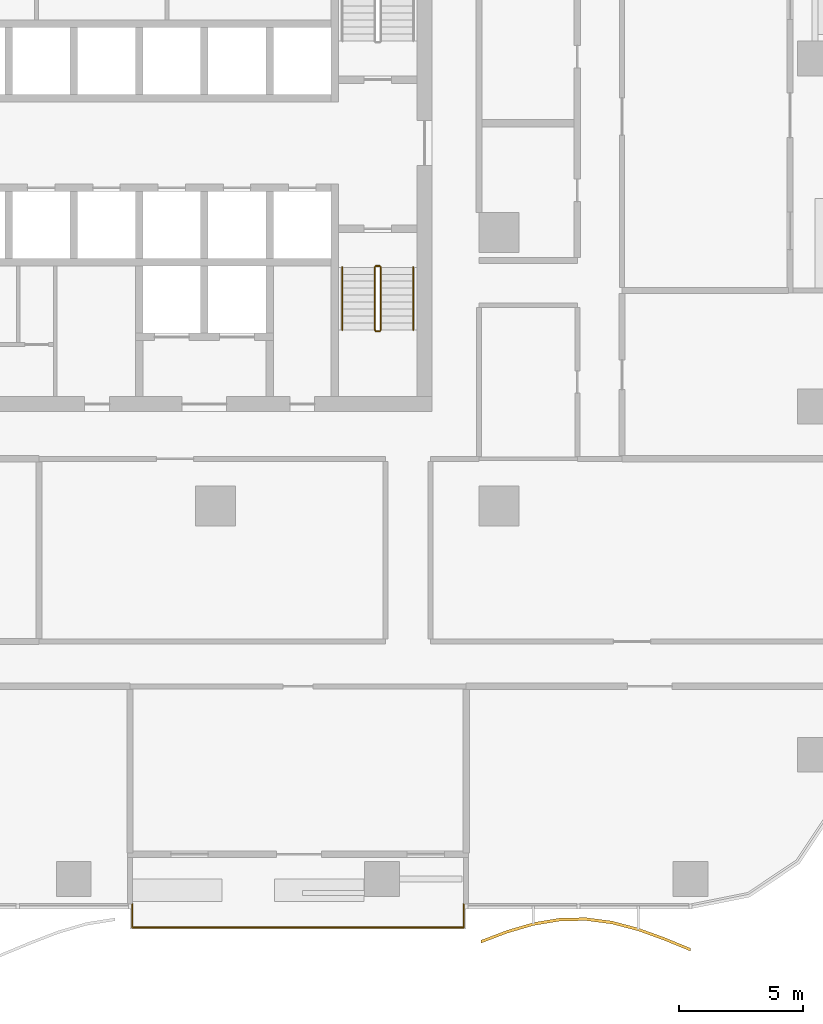
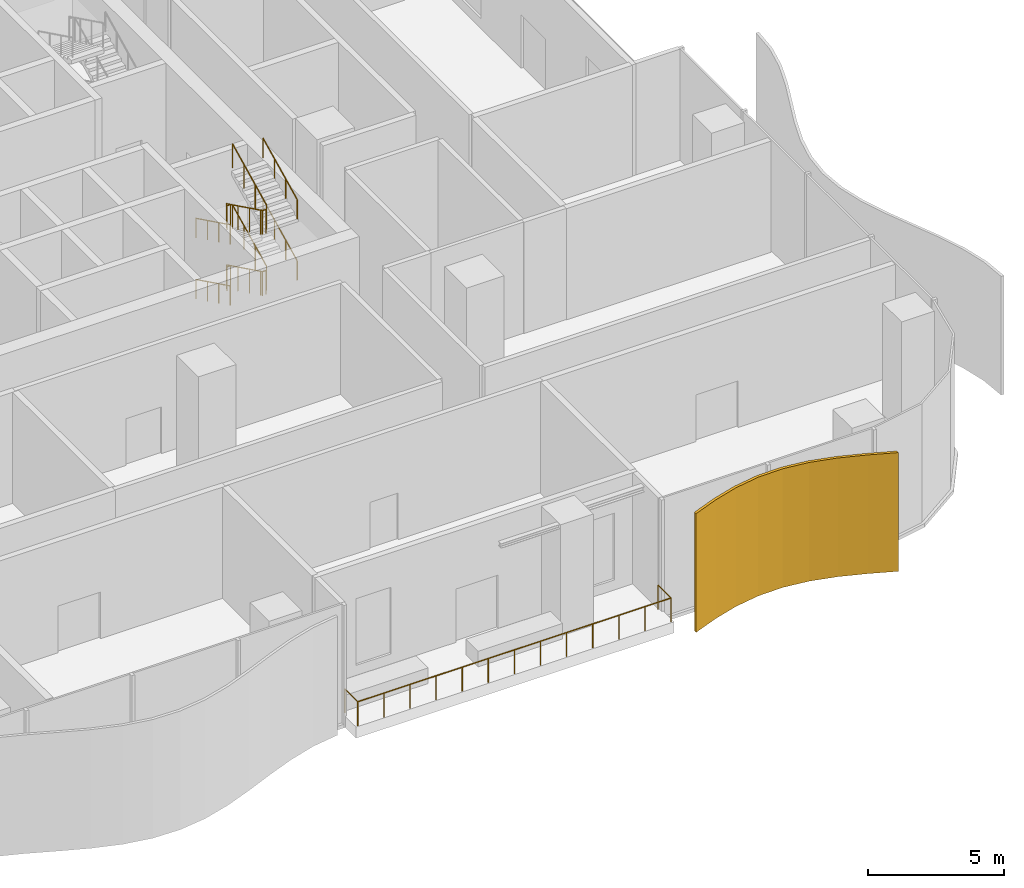
# One storey, part 16 of 20: 10 railings, 1 shading device.
"""IFC4 building model written with IfcOpenShell, lengths in metres."""

import ifcopenshell
import ifcopenshell.guid

model = None  # the IFC model being written
_history = None  # IfcOwnerHistory: only IFC2X3 demands one
_inside = {}  # id of a spatial element -> (the spatial element, [elements in it])
_under = {}  # id of a project, library or spatial element -> (it, [spatial elements below it])
_declared = {}  # id of a project -> (the project, [libraries it declares])
_typed = {}  # id of a type object -> (the type object, [elements of that type])
_made_of = {}  # id of a material, layer set ... -> (it, [elements and type objects made of it])


def new_model(schema):
    """Start an empty IFC model of exactly this schema.

    Asked for "IFC4X3", IfcOpenShell would pick the latest addendum, in which some entities
    have other attributes; the version numbers below select the first issue.
    IFC2X3 requires an IfcOwnerHistory on every rooted entity: one is made here for all.
    """
    global model, _history
    if schema == "IFC4X3":
        model = ifcopenshell.file(schema_version=(4, 3, 0, 0))
    else:
        model = ifcopenshell.file(schema=schema)
    _inside.clear()
    _under.clear()
    _declared.clear()
    _typed.clear()
    _made_of.clear()
    _history = None
    if model.schema == "IFC2X3":
        org = make("IfcOrganization", Name="unknown")
        user = make(
            "IfcPersonAndOrganization",
            ThePerson=make("IfcPerson", FamilyName="unknown"),
            TheOrganization=org,
        )
        app = make(
            "IfcApplication",
            ApplicationDeveloper=org,
            Version="unknown",
            ApplicationFullName="unknown",
            ApplicationIdentifier="unknown",
        )
        _history = make(
            "IfcOwnerHistory",
            OwningUser=user,
            OwningApplication=app,
            ChangeAction="ADDED",
            CreationDate=0,
        )
    return model


def make(cls, **values):
    """One entity of the class cls with the attributes given. An attribute that is None is left unset."""
    return model.create_entity(
        cls, **{name: value for name, value in values.items() if value is not None}
    )


def rooted(cls, **values):
    """An entity with a GlobalId (a new one), such as an element, a storey or a relation."""
    return make(cls, GlobalId=ifcopenshell.guid.new(), OwnerHistory=_history, **values)


def si_unit(unit_type, name, prefix=None):
    """IfcSIUnit, for example si_unit("LENGTHUNIT", "METRE", prefix="MILLI")."""
    return make("IfcSIUnit", UnitType=unit_type, Prefix=prefix, Name=name)


def assignment(units):
    """IfcUnitAssignment: the units of a project."""
    return None if units is None else make("IfcUnitAssignment", Units=units)


def point(xyz):
    """IfcCartesianPoint."""
    return None if xyz is None else make("IfcCartesianPoint", Coordinates=xyz)


def direction(xyz):
    """IfcDirection."""
    return None if xyz is None else make("IfcDirection", DirectionRatios=xyz)


def frame(location, z_axis=None, x_axis=None):
    """IfcAxis2Placement3D, a coordinate frame: its origin and axes. An axis left out is left unset."""
    return make(
        "IfcAxis2Placement3D",
        Location=point(location),
        Axis=direction(z_axis),
        RefDirection=direction(x_axis),
    )


def frame_2d(location, x_axis=None):
    """IfcAxis2Placement2D, a coordinate frame in the plane: its origin and x axis."""
    return make(
        "IfcAxis2Placement2D", Location=point(location), RefDirection=direction(x_axis)
    )


def origin():
    """The frame at (0, 0, 0) with its axes left unset."""
    return frame((0.0, 0.0, 0.0))


def origin_2d():
    """The frame at (0, 0) in the plane with its x axis left unset."""
    return frame_2d((0.0, 0.0))


def place(relative_to, where):
    """IfcLocalPlacement: puts the frame where relative to a parent placement (None: the world)."""
    return make(
        "IfcLocalPlacement", PlacementRelTo=relative_to, RelativePlacement=where
    )


def context(
    kind, dimensions, precision=None, world=None, true_north=None, identifier=None
):
    """IfcGeometricRepresentationContext, for example the 3D "Model" context."""
    return make(
        "IfcGeometricRepresentationContext",
        ContextIdentifier=identifier,
        ContextType=kind,
        CoordinateSpaceDimension=dimensions,
        Precision=precision,
        WorldCoordinateSystem=world,
        TrueNorth=true_north,
    )


def subcontext(parent, identifier, kind, view, scale=None):
    """IfcGeometricRepresentationSubContext, for example "Body" below "Model"."""
    return make(
        "IfcGeometricRepresentationSubContext",
        ContextIdentifier=identifier,
        ContextType=kind,
        ParentContext=parent,
        TargetScale=scale,
        TargetView=view,
    )


def project(units=None, contexts=None):
    """IfcProject with its units and contexts."""
    return rooted(
        "IfcProject",
        Name="project",
        RepresentationContexts=contexts,
        UnitsInContext=assignment(units),
    )


def spatial(cls, under=None, at=None, **own):
    """A site, building, storey or space (cls), placed at a placement, below another one or the project."""
    s = rooted(cls, ObjectPlacement=at, **own)
    if under is not None:
        _under.setdefault(under.id(), (under, []))[1].append(s)
    return s


def polyline(points):
    """IfcPolyline through the points."""
    return make("IfcPolyline", Points=[point(p) for p in points])


def profile(cls, at=None, kind="AREA", **sizes):
    """A parametric profile (cls). Its sizes go by their IFC names, for example OverallWidth=200.0."""
    return make(cls, ProfileType=kind, Position=at, **sizes)


def circle(**sizes):
    """IfcCircleProfileDef."""
    return profile("IfcCircleProfileDef", **sizes)


def outline(outer, holes=None, kind="AREA"):
    """IfcArbitraryClosedProfileDef: a profile drawn as a closed curve; with holes, ...WithVoids."""
    if holes is None:
        return make("IfcArbitraryClosedProfileDef", ProfileType=kind, OuterCurve=outer)
    return make(
        "IfcArbitraryProfileDefWithVoids",
        ProfileType=kind,
        OuterCurve=outer,
        InnerCurves=holes,
    )


def extrude(swept, where, along, depth):
    """IfcExtrudedAreaSolid: the profile swept, set in the frame where, extruded along a direction by depth."""
    return make(
        "IfcExtrudedAreaSolid",
        SweptArea=swept,
        Position=where,
        ExtrudedDirection=direction(along),
        Depth=depth,
    )


def shape(context_of_items, identifier, shape_type, items):
    """IfcShapeRepresentation: the items that make up one representation, for example the "Body"."""
    return make(
        "IfcShapeRepresentation",
        ContextOfItems=context_of_items,
        RepresentationIdentifier=identifier,
        RepresentationType=shape_type,
        Items=items,
    )


def material(Name=None, Category=None):
    """IfcMaterial."""
    return make("IfcMaterial", Name=Name, Category=Category)


def layer(
    of_material, thickness, ventilated=None, Name=None, Category=None, Priority=None
):
    """IfcMaterialLayer: one layer of a wall or slab, of a material (None: an air gap)."""
    return make(
        "IfcMaterialLayer",
        Material=of_material,
        LayerThickness=thickness,
        IsVentilated=ventilated,
        Name=Name,
        Category=Category,
        Priority=Priority,
    )


def layer_set(layers, Name=None):
    """IfcMaterialLayerSet."""
    return make("IfcMaterialLayerSet", MaterialLayers=layers, LayerSetName=Name)


def made_of(thing, what):
    """Note that an element or type object is made of a material, layer set ...; save() writes the relation."""
    if what is not None:
        _made_of.setdefault(what.id(), (what, []))[1].append(thing)
    return thing


def type_object(cls, material=None, **own):
    """A type object (cls), such as IfcWallType, which elements share."""
    return made_of(rooted(cls, **own), material)


def element(
    cls,
    number,
    at=None,
    inside=None,
    cuts=None,
    type_object=None,
    material=None,
    context=None,
    identifier="Body",
    shape_type=None,
    held_by="IfcProductDefinitionShape",
    body=None,
    shapes=None,
    **own,
):
    """One element of the class cls, such as IfcWall. Its Tag is "e" and its number.

    at: its placement. inside: the storey or other place that contains it. cuts: it is an
    opening in that element (IfcRelVoidsElement). A single representation is given by context,
    identifier, shape_type and body (its items); several are given by shapes. held_by: the class
    of the entity that holds the representations. save() writes the other relations.
    """
    e = rooted(cls, Tag="e%d" % number, ObjectPlacement=at, **own)
    if body is not None:
        shapes = [shape(context, identifier, shape_type, body)]
    if shapes is not None:
        e.Representation = make(held_by, Representations=shapes)
    if inside is not None:
        _inside.setdefault(inside.id(), (inside, []))[1].append(e)
    if cuts is not None:
        rooted(
            "IfcRelVoidsElement", RelatingBuildingElement=cuts, RelatedOpeningElement=e
        )
    if type_object is not None:
        _typed.setdefault(type_object.id(), (type_object, []))[1].append(e)
    return made_of(e, material)


def aggregate(whole, parts):
    """IfcRelAggregates: a whole, such as a stair, and the parts it consists of."""
    return rooted("IfcRelAggregates", RelatingObject=whole, RelatedObjects=parts)


def save(model, path):
    """Write the relations noted so far, then the file.

    IfcRelAggregates (storeys below a building ...), IfcRelContainedInSpatialStructure (elements
    in a storey), IfcRelDefinesByType, IfcRelAssociatesMaterial and IfcRelDeclares: one each for
    every whole, place, type object, material and project.
    """
    for whole, parts in _under.values():
        aggregate(whole, parts)
    for where, things in _inside.values():
        rooted(
            "IfcRelContainedInSpatialStructure",
            RelatedElements=things,
            RelatingStructure=where,
        )
    for kind, things in _typed.values():
        rooted("IfcRelDefinesByType", RelatedObjects=things, RelatingType=kind)
    for what, things in _made_of.values():
        rooted("IfcRelAssociatesMaterial", RelatedObjects=things, RelatingMaterial=what)
    for by, libraries in _declared.values():
        rooted("IfcRelDeclares", RelatingContext=by, RelatedDefinitions=libraries)
    model.write(path)


model = new_model("IFC4")

# Units and contexts
model_context = context("Model", 3, precision=1e-05, world=origin(), true_north=direction((0.0, 1.0)))
body_context = subcontext(model_context, "Body", "Model", "MODEL_VIEW")
ifc_project = project(units=[si_unit("LENGTHUNIT", "METRE"), si_unit("AREAUNIT", "SQUARE_METRE"), si_unit("VOLUMEUNIT", "CUBIC_METRE"), si_unit("PLANEANGLEUNIT", "RADIAN"), si_unit("MASSUNIT", "GRAM", prefix="KILO")], contexts=[model_context])

# Site, building, storey
site_placement = place(None, origin())
site = spatial("IfcSite", under=ifc_project, at=site_placement, CompositionType="ELEMENT")
building_placement = place(site_placement, origin())
building = spatial("IfcBuilding", under=site, at=building_placement, Name="Mopane Tessera Tower", CompositionType="ELEMENT")
storey_placement = place(building_placement, frame((0.0, 0.0, 14.5)))
storey = spatial("IfcBuildingStorey", under=building, at=storey_placement, Name="L02", CompositionType="ELEMENT", Elevation=14.5)

# Railings
ifc_material_1 = material(Name="Powder-coated steel balustrade", Category="steel")
railing_type_1 = type_object("IfcRailingType", Name="Escape stair guard 1100 mm", PredefinedType="GUARDRAIL", material=ifc_material_1)
railing_1_placement = place(storey_placement, frame((12.10009765625, -1.39990234375, 0.137451171875)))
element("IfcRailing", 1, at=railing_1_placement, inside=storey, type_object=railing_type_1, Name="L02 ST3 stair guard 1", PredefinedType="GUARDRAIL", context=body_context, shape_type="SweptSolid", body=[
    extrude(circle(Radius=0.02392578125, at=origin_2d()), frame((0.0, 0.0, 1.076171875), z_axis=(0.0, -0.897604431175, 0.440801866075), x_axis=(1.0, 0.0, 0.0)), (0.0, 0.0, 1.0), 2.807373046875),
    extrude(circle(Radius=0.02392578125, at=origin_2d()), frame((0.0, -2.52001953125, 2.3134765625), z_axis=(0.705375805398, -0.708833529934, 0.0), x_axis=(0.708833529934, 0.705375805398, 0.0)), (0.0, 0.0, 1.0), 0.070556640625),
    extrude(circle(Radius=0.02392578125, at=origin_2d()), frame((0.0498046875, -2.570068359375, 2.3134765625), z_axis=(1.0, 0.0, 0.0), x_axis=(0.0, 1.0, 0.0)), (0.0, 0.0, 1.0), 0.150146484375),
    extrude(circle(Radius=0.02099609375, at=origin_2d()), origin(), (0.0, 0.0, 1.0), 1.052001953125),
    extrude(circle(Radius=0.02099609375, at=origin_2d()), frame((0.0, -0.840087890625, 0.41259765625)), (0.0, 0.0, 1.0), 1.052001953125),
    extrude(circle(Radius=0.02099609375, at=origin_2d()), frame((0.0, -1.679931640625, 0.824951171875)), (0.0, 0.0, 1.0), 1.052001953125),
    extrude(circle(Radius=0.02099609375, at=origin_2d()), frame((0.0, -2.52001953125, 1.237548828125)), (0.0, 0.0, 1.0), 1.052001953125),
    extrude(circle(Radius=0.02099609375, at=origin_2d()), frame((0.0498046875, -2.570068359375, 1.237548828125)), (0.0, 0.0, 1.0), 1.052001953125),
    extrude(circle(Radius=0.02099609375, at=origin_2d()), frame((0.199951171875, -2.570068359375, 1.237548828125)), (0.0, 0.0, 1.0), 1.052001953125),
])
railing_2_placement = place(storey_placement, frame((12.35009765625, -3.919921875, 1.512451171875)))
element("IfcRailing", 2, at=railing_2_placement, inside=storey, type_object=railing_type_1, Name="L02 ST3 stair guard 2", PredefinedType="GUARDRAIL", context=body_context, shape_type="SweptSolid", body=[
    extrude(circle(Radius=0.02392578125, at=origin_2d()), frame((0.0, 0.0, 1.076171875), z_axis=(0.0, 0.897604431175, 0.440801866075), x_axis=(-1.0, 0.0, 0.0)), (0.0, 0.0, 1.0), 2.807373046875),
    extrude(circle(Radius=0.02392578125, at=origin_2d()), frame((0.0, 2.52001953125, 2.3134765625), z_axis=(-0.708833529934, 0.705375805398, 0.0), x_axis=(-0.705375805398, -0.708833529934, 0.0)), (0.0, 0.0, 1.0), 0.070556640625),
    extrude(circle(Radius=0.02392578125, at=origin_2d()), frame((-0.050048828125, 2.56982421875, 2.3134765625), z_axis=(-1.0, 0.0, 0.0), x_axis=(0.0, -1.0, 0.0)), (0.0, 0.0, 1.0), 0.150146484375),
    extrude(circle(Radius=0.02099609375, at=origin_2d()), origin(), (0.0, 0.0, 1.0), 1.052001953125),
    extrude(circle(Radius=0.02099609375, at=origin_2d()), frame((0.0, 0.840087890625, 0.41259765625)), (0.0, 0.0, 1.0), 1.052001953125),
    extrude(circle(Radius=0.02099609375, at=origin_2d()), frame((0.0, 1.679931640625, 0.824951171875)), (0.0, 0.0, 1.0), 1.052001953125),
    extrude(circle(Radius=0.02099609375, at=origin_2d()), frame((0.0, 2.52001953125, 1.237548828125)), (0.0, 0.0, 1.0), 1.052001953125),
    extrude(circle(Radius=0.02099609375, at=origin_2d()), frame((-0.050048828125, 2.56982421875, 1.237548828125)), (0.0, 0.0, 1.0), 1.052001953125),
    extrude(circle(Radius=0.02099609375, at=origin_2d()), frame((-0.2001953125, 2.56982421875, 1.237548828125)), (0.0, 0.0, 1.0), 1.052001953125),
])
railing_3_placement = place(storey_placement, frame((12.10009765625, -1.39990234375, 2.887451171875)))
element("IfcRailing", 3, at=railing_3_placement, inside=storey, type_object=railing_type_1, Name="L02 ST3 stair guard 3", PredefinedType="GUARDRAIL", context=body_context, shape_type="SweptSolid", body=[
    extrude(circle(Radius=0.02392578125, at=origin_2d()), frame((0.0, 0.0, 1.076171875), z_axis=(0.0, -0.897604431175, 0.440801866075), x_axis=(1.0, 0.0, 0.0)), (0.0, 0.0, 1.0), 2.807373046875),
    extrude(circle(Radius=0.02392578125, at=origin_2d()), frame((0.0, -2.52001953125, 2.3134765625), z_axis=(0.705375805398, -0.708833529934, 0.0), x_axis=(0.708833529934, 0.705375805398, 0.0)), (0.0, 0.0, 1.0), 0.070556640625),
    extrude(circle(Radius=0.02392578125, at=origin_2d()), frame((0.0498046875, -2.570068359375, 2.3134765625), z_axis=(1.0, 0.0, 0.0), x_axis=(0.0, 1.0, 0.0)), (0.0, 0.0, 1.0), 0.150146484375),
    extrude(circle(Radius=0.02099609375, at=origin_2d()), origin(), (0.0, 0.0, 1.0), 1.052001953125),
    extrude(circle(Radius=0.02099609375, at=origin_2d()), frame((0.0, -0.840087890625, 0.41259765625)), (0.0, 0.0, 1.0), 1.052001953125),
    extrude(circle(Radius=0.02099609375, at=origin_2d()), frame((0.0, -1.679931640625, 0.824951171875)), (0.0, 0.0, 1.0), 1.052001953125),
    extrude(circle(Radius=0.02099609375, at=origin_2d()), frame((0.0, -2.52001953125, 1.237548828125)), (0.0, 0.0, 1.0), 1.052001953125),
    extrude(circle(Radius=0.02099609375, at=origin_2d()), frame((0.0498046875, -2.570068359375, 1.237548828125)), (0.0, 0.0, 1.0), 1.052001953125),
    extrude(circle(Radius=0.02099609375, at=origin_2d()), frame((0.199951171875, -2.570068359375, 1.237548828125)), (0.0, 0.0, 1.0), 1.052001953125),
])
railing_4_placement = place(storey_placement, frame((12.35009765625, -3.919921875, 4.262451171875)))
element("IfcRailing", 4, at=railing_4_placement, inside=storey, type_object=railing_type_1, Name="L02 ST3 stair guard 4", PredefinedType="GUARDRAIL", context=body_context, shape_type="SweptSolid", body=[
    extrude(circle(Radius=0.02392578125, at=origin_2d()), frame((0.0, 0.0, 1.076171875), z_axis=(0.0, 0.897604431175, 0.440801866075), x_axis=(-1.0, 0.0, 0.0)), (0.0, 0.0, 1.0), 2.807373046875),
    extrude(circle(Radius=0.02099609375, at=origin_2d()), origin(), (0.0, 0.0, 1.0), 1.052001953125),
    extrude(circle(Radius=0.02099609375, at=origin_2d()), frame((0.0, 0.840087890625, 0.41259765625)), (0.0, 0.0, 1.0), 1.052001953125),
    extrude(circle(Radius=0.02099609375, at=origin_2d()), frame((0.0, 1.679931640625, 0.824951171875)), (0.0, 0.0, 1.0), 1.052001953125),
    extrude(circle(Radius=0.02099609375, at=origin_2d()), frame((0.0, 2.52001953125, 1.237548828125)), (0.0, 0.0, 1.0), 1.052001953125),
])
railing_5_placement = place(storey_placement, frame((12.14990234375, -1.35009765625, 0.0)))
element("IfcRailing", 5, at=railing_5_placement, inside=storey, type_object=railing_type_1, Name="L02 ST3 stair guard 5", PredefinedType="GUARDRAIL", context=body_context, shape_type="SweptSolid", body=[
    extrude(circle(Radius=0.02392578125, at=origin_2d()), frame((0.0, 0.0, 1.076171875), z_axis=(1.0, 0.0, 0.0), x_axis=(0.0, 1.0, 0.0)), (0.0, 0.0, 1.0), 0.150146484375),
    extrude(circle(Radius=0.02099609375, at=origin_2d()), origin(), (0.0, 0.0, 1.0), 1.052001953125),
    extrude(circle(Radius=0.02099609375, at=origin_2d()), frame((0.150146484375, 0.0, 0.0)), (0.0, 0.0, 1.0), 1.052001953125),
])
ifc_material_2 = material(Name="Powder-coated steel balustrade", Category="steel")
railing_type_2 = type_object("IfcRailingType", Name="Escape stair handrail 900 mm", PredefinedType="HANDRAIL", material=ifc_material_2)
railing_6_placement = place(storey_placement, frame((10.800048828125, -1.39990234375, 0.137451171875)))
element("IfcRailing", 6, at=railing_6_placement, inside=storey, type_object=railing_type_2, Name="L02 ST3 stair handrail 1", PredefinedType="HANDRAIL", context=body_context, shape_type="SweptSolid", body=[
    extrude(circle(Radius=0.02392578125, at=origin_2d()), frame((0.0, 0.0, 0.8759765625), z_axis=(0.0, -0.897604431175, 0.440801866075), x_axis=(1.0, 0.0, 0.0)), (0.0, 0.0, 1.0), 2.807373046875),
    extrude(circle(Radius=0.02099609375, at=origin_2d()), origin(), (0.0, 0.0, 1.0), 0.851806640625),
    extrude(circle(Radius=0.02099609375, at=origin_2d()), frame((0.0, -0.840087890625, 0.41259765625)), (0.0, 0.0, 1.0), 0.851806640625),
    extrude(circle(Radius=0.02099609375, at=origin_2d()), frame((0.0, -1.679931640625, 0.824951171875)), (0.0, 0.0, 1.0), 0.851806640625),
    extrude(circle(Radius=0.02099609375, at=origin_2d()), frame((0.0, -2.52001953125, 1.237548828125)), (0.0, 0.0, 1.0), 0.851806640625),
])
railing_7_placement = place(storey_placement, frame((13.64990234375, -3.919921875, 1.512451171875)))
element("IfcRailing", 7, at=railing_7_placement, inside=storey, type_object=railing_type_2, Name="L02 ST3 stair handrail 2", PredefinedType="HANDRAIL", context=body_context, shape_type="SweptSolid", body=[
    extrude(circle(Radius=0.02392578125, at=origin_2d()), frame((0.0, 0.0, 0.8759765625), z_axis=(0.0, 0.897604431175, 0.440801866075), x_axis=(-1.0, 0.0, 0.0)), (0.0, 0.0, 1.0), 2.807373046875),
    extrude(circle(Radius=0.02099609375, at=origin_2d()), origin(), (0.0, 0.0, 1.0), 0.851806640625),
    extrude(circle(Radius=0.02099609375, at=origin_2d()), frame((0.0, 0.840087890625, 0.41259765625)), (0.0, 0.0, 1.0), 0.851806640625),
    extrude(circle(Radius=0.02099609375, at=origin_2d()), frame((0.0, 1.679931640625, 0.824951171875)), (0.0, 0.0, 1.0), 0.851806640625),
    extrude(circle(Radius=0.02099609375, at=origin_2d()), frame((0.0, 2.52001953125, 1.237548828125)), (0.0, 0.0, 1.0), 0.851806640625),
])
railing_8_placement = place(storey_placement, frame((10.800048828125, -1.39990234375, 2.887451171875)))
element("IfcRailing", 8, at=railing_8_placement, inside=storey, type_object=railing_type_2, Name="L02 ST3 stair handrail 3", PredefinedType="HANDRAIL", context=body_context, shape_type="SweptSolid", body=[
    extrude(circle(Radius=0.02392578125, at=origin_2d()), frame((0.0, 0.0, 0.8759765625), z_axis=(0.0, -0.897604431175, 0.440801866075), x_axis=(1.0, 0.0, 0.0)), (0.0, 0.0, 1.0), 2.807373046875),
    extrude(circle(Radius=0.02099609375, at=origin_2d()), origin(), (0.0, 0.0, 1.0), 0.851806640625),
    extrude(circle(Radius=0.02099609375, at=origin_2d()), frame((0.0, -0.840087890625, 0.41259765625)), (0.0, 0.0, 1.0), 0.851806640625),
    extrude(circle(Radius=0.02099609375, at=origin_2d()), frame((0.0, -1.679931640625, 0.824951171875)), (0.0, 0.0, 1.0), 0.851806640625),
    extrude(circle(Radius=0.02099609375, at=origin_2d()), frame((0.0, -2.52001953125, 1.237548828125)), (0.0, 0.0, 1.0), 0.851806640625),
])
railing_9_placement = place(storey_placement, frame((13.64990234375, -3.919921875, 4.262451171875)))
element("IfcRailing", 9, at=railing_9_placement, inside=storey, type_object=railing_type_2, Name="L02 ST3 stair handrail 4", PredefinedType="HANDRAIL", context=body_context, shape_type="SweptSolid", body=[
    extrude(circle(Radius=0.02392578125, at=origin_2d()), frame((0.0, 0.0, 0.8759765625), z_axis=(0.0, 0.897604431175, 0.440801866075), x_axis=(-1.0, 0.0, 0.0)), (0.0, 0.0, 1.0), 2.807373046875),
    extrude(circle(Radius=0.02099609375, at=origin_2d()), origin(), (0.0, 0.0, 1.0), 0.851806640625),
    extrude(circle(Radius=0.02099609375, at=origin_2d()), frame((0.0, 0.840087890625, 0.41259765625)), (0.0, 0.0, 1.0), 0.851806640625),
    extrude(circle(Radius=0.02099609375, at=origin_2d()), frame((0.0, 1.679931640625, 0.824951171875)), (0.0, 0.0, 1.0), 0.851806640625),
    extrude(circle(Radius=0.02099609375, at=origin_2d()), frame((0.0, 2.52001953125, 1.237548828125)), (0.0, 0.0, 1.0), 0.851806640625),
])
ifc_material_3 = material(Name="Stainless steel S316", Category="steel")
railing_type_3 = type_object("IfcRailingType", Name="Terrace guard 1100", PredefinedType="GUARDRAIL", material=ifc_material_3)
railing_10_placement = place(storey_placement, frame((2.3544921875, -27.0, 0.0)))
element("IfcRailing", 10, at=railing_10_placement, inside=storey, type_object=railing_type_3, Name="e:nw:L02:N1:guard", PredefinedType="GUARDRAIL", context=body_context, shape_type="SweptSolid", body=[
    extrude(circle(Radius=0.02392578125, at=origin_2d()), frame((0.0, 0.0, 1.076171875), z_axis=(0.0, -1.0, 0.0), x_axis=(1.0, 0.0, 0.0)), (0.0, 0.0, 1.0), 0.949951171875),
    extrude(circle(Radius=0.02392578125, at=origin_2d()), frame((0.0, -0.949951171875, 1.076171875), z_axis=(1.0, 0.0, 0.0), x_axis=(0.0, 1.0, 0.0)), (0.0, 0.0, 1.0), 13.327392578125),
    extrude(circle(Radius=0.02392578125, at=origin_2d()), frame((13.327392578125, -0.949951171875, 1.076171875), z_axis=(0.0, 1.0, 0.0), x_axis=(-1.0, 0.0, 0.0)), (0.0, 0.0, 1.0), 0.949951171875),
    extrude(circle(Radius=0.02099609375, at=origin_2d()), origin(), (0.0, 0.0, 1.0), 1.052001953125),
    extrude(circle(Radius=0.02099609375, at=origin_2d()), frame((0.0, -0.949951171875, 0.0)), (0.0, 0.0, 1.0), 1.052001953125),
    extrude(circle(Radius=0.02099609375, at=origin_2d()), frame((1.110595703125, -0.949951171875, 0.0)), (0.0, 0.0, 1.0), 1.052001953125),
    extrude(circle(Radius=0.02099609375, at=origin_2d()), frame((2.22119140625, -0.949951171875, 0.0)), (0.0, 0.0, 1.0), 1.052001953125),
    extrude(circle(Radius=0.02099609375, at=origin_2d()), frame((3.331787109375, -0.949951171875, 0.0)), (0.0, 0.0, 1.0), 1.052001953125),
    extrude(circle(Radius=0.02099609375, at=origin_2d()), frame((4.4423828125, -0.949951171875, 0.0)), (0.0, 0.0, 1.0), 1.052001953125),
    extrude(circle(Radius=0.02099609375, at=origin_2d()), frame((5.552978515625, -0.949951171875, 0.0)), (0.0, 0.0, 1.0), 1.052001953125),
    extrude(circle(Radius=0.02099609375, at=origin_2d()), frame((6.66357421875, -0.949951171875, 0.0)), (0.0, 0.0, 1.0), 1.052001953125),
    extrude(circle(Radius=0.02099609375, at=origin_2d()), frame((7.7744140625, -0.949951171875, 0.0)), (0.0, 0.0, 1.0), 1.052001953125),
    extrude(circle(Radius=0.02099609375, at=origin_2d()), frame((8.885009765625, -0.949951171875, 0.0)), (0.0, 0.0, 1.0), 1.052001953125),
    extrude(circle(Radius=0.02099609375, at=origin_2d()), frame((9.99560546875, -0.949951171875, 0.0)), (0.0, 0.0, 1.0), 1.052001953125),
    extrude(circle(Radius=0.02099609375, at=origin_2d()), frame((11.106201171875, -0.949951171875, 0.0)), (0.0, 0.0, 1.0), 1.052001953125),
    extrude(circle(Radius=0.02099609375, at=origin_2d()), frame((12.216796875, -0.949951171875, 0.0)), (0.0, 0.0, 1.0), 1.052001953125),
    extrude(circle(Radius=0.02099609375, at=origin_2d()), frame((13.327392578125, -0.949951171875, 0.0)), (0.0, 0.0, 1.0), 1.052001953125),
    extrude(circle(Radius=0.02099609375, at=origin_2d()), frame((13.327392578125, 0.0, 0.0)), (0.0, 0.0, 1.0), 1.052001953125),
])

# Shading device
ifc_material_4 = material(Name="Anodised aluminium louvre blades", Category="aluminium")
ifc_layer = layer(ifc_material_4, 0.1201171875)
ifc_layer_set = layer_set([ifc_layer], Name="Anodised aluminium louvre blades")
shading_device_type = type_object("IfcShadingDeviceType", Name="Wave louvre screen", PredefinedType="JALOUSIE", material=ifc_layer_set)
shading_device_placement = place(storey_placement, frame((0.0, 0.0, -0.340087890625)))
element("IfcShadingDevice", 11, at=shading_device_placement, inside=storey, type_object=shading_device_type, Name="e:lv:L02:S:1", PredefinedType="JALOUSIE", context=body_context, shape_type="SweptSolid", body=[
    extrude(outline(polyline([(16.3818359375, -28.45703125), (17.43408203125, -28.05712890625), (18.486328125, -27.748291015625), (19.53857421875, -27.57177734375), (20.5908203125, -27.55126953125), (21.64306640625, -27.68896484375), (22.695556640625, -27.96728515625), (23.747802734375, -28.348388671875), (24.800048828125, -28.781982421875), (24.800048828125, -28.90185546875), (23.747802734375, -28.468505859375), (22.695556640625, -28.087158203125), (21.64306640625, -27.80908203125), (20.5908203125, -27.671142578125), (19.53857421875, -27.69189453125), (18.486328125, -27.868408203125), (17.43408203125, -28.17724609375), (16.3818359375, -28.5771484375), (16.3818359375, -28.45703125)])), origin(), (0.0, 0.0, 1.0), 5.340087890625),
])

save(model, "model.ifc")
